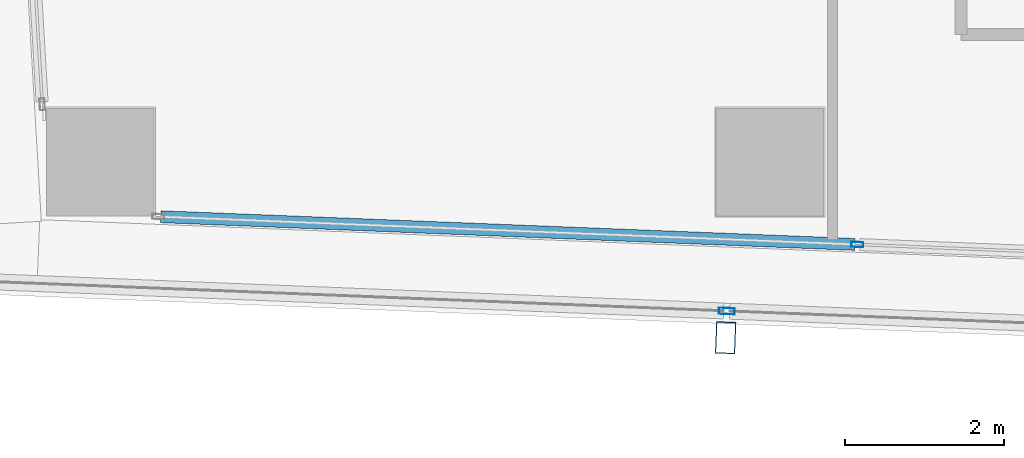
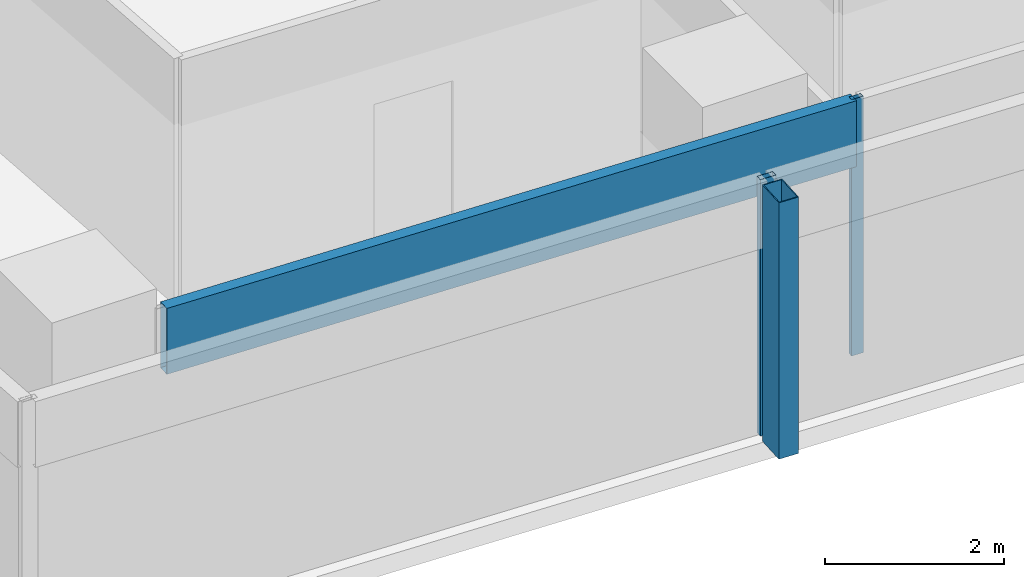
# One storey, part 3 of 33: 4 members, 2 elements without a shape of their own.
"""IFC4 building model written with IfcOpenShell, lengths in metres."""

import ifcopenshell
import ifcopenshell.guid

model = None  # the IFC model being written
_history = None  # IfcOwnerHistory: only IFC2X3 demands one
_inside = {}  # id of a spatial element -> (the spatial element, [elements in it])
_under = {}  # id of a project, library or spatial element -> (it, [spatial elements below it])
_declared = {}  # id of a project -> (the project, [libraries it declares])
_typed = {}  # id of a type object -> (the type object, [elements of that type])
_made_of = {}  # id of a material, layer set ... -> (it, [elements and type objects made of it])


def new_model(schema):
    """Start an empty IFC model of exactly this schema.

    Asked for "IFC4X3", IfcOpenShell would pick the latest addendum, in which some entities
    have other attributes; the version numbers below select the first issue.
    IFC2X3 requires an IfcOwnerHistory on every rooted entity: one is made here for all.
    """
    global model, _history
    if schema == "IFC4X3":
        model = ifcopenshell.file(schema_version=(4, 3, 0, 0))
    else:
        model = ifcopenshell.file(schema=schema)
    _inside.clear()
    _under.clear()
    _declared.clear()
    _typed.clear()
    _made_of.clear()
    _history = None
    if model.schema == "IFC2X3":
        org = make("IfcOrganization", Name="unknown")
        user = make(
            "IfcPersonAndOrganization",
            ThePerson=make("IfcPerson", FamilyName="unknown"),
            TheOrganization=org,
        )
        app = make(
            "IfcApplication",
            ApplicationDeveloper=org,
            Version="unknown",
            ApplicationFullName="unknown",
            ApplicationIdentifier="unknown",
        )
        _history = make(
            "IfcOwnerHistory",
            OwningUser=user,
            OwningApplication=app,
            ChangeAction="ADDED",
            CreationDate=0,
        )
    return model


def make(cls, **values):
    """One entity of the class cls with the attributes given. An attribute that is None is left unset."""
    return model.create_entity(
        cls, **{name: value for name, value in values.items() if value is not None}
    )


def rooted(cls, **values):
    """An entity with a GlobalId (a new one), such as an element, a storey or a relation."""
    return make(cls, GlobalId=ifcopenshell.guid.new(), OwnerHistory=_history, **values)


def si_unit(unit_type, name, prefix=None):
    """IfcSIUnit, for example si_unit("LENGTHUNIT", "METRE", prefix="MILLI")."""
    return make("IfcSIUnit", UnitType=unit_type, Prefix=prefix, Name=name)


def assignment(units):
    """IfcUnitAssignment: the units of a project."""
    return None if units is None else make("IfcUnitAssignment", Units=units)


def point(xyz):
    """IfcCartesianPoint."""
    return None if xyz is None else make("IfcCartesianPoint", Coordinates=xyz)


def direction(xyz):
    """IfcDirection."""
    return None if xyz is None else make("IfcDirection", DirectionRatios=xyz)


def frame(location, z_axis=None, x_axis=None):
    """IfcAxis2Placement3D, a coordinate frame: its origin and axes. An axis left out is left unset."""
    return make(
        "IfcAxis2Placement3D",
        Location=point(location),
        Axis=direction(z_axis),
        RefDirection=direction(x_axis),
    )


def frame_2d(location, x_axis=None):
    """IfcAxis2Placement2D, a coordinate frame in the plane: its origin and x axis."""
    return make(
        "IfcAxis2Placement2D", Location=point(location), RefDirection=direction(x_axis)
    )


def origin():
    """The frame at (0, 0, 0) with its axes left unset."""
    return frame((0.0, 0.0, 0.0))


def origin_2d():
    """The frame at (0, 0) in the plane with its x axis left unset."""
    return frame_2d((0.0, 0.0))


def place(relative_to, where):
    """IfcLocalPlacement: puts the frame where relative to a parent placement (None: the world)."""
    return make(
        "IfcLocalPlacement", PlacementRelTo=relative_to, RelativePlacement=where
    )


def context(
    kind, dimensions, precision=None, world=None, true_north=None, identifier=None
):
    """IfcGeometricRepresentationContext, for example the 3D "Model" context."""
    return make(
        "IfcGeometricRepresentationContext",
        ContextIdentifier=identifier,
        ContextType=kind,
        CoordinateSpaceDimension=dimensions,
        Precision=precision,
        WorldCoordinateSystem=world,
        TrueNorth=true_north,
    )


def subcontext(parent, identifier, kind, view, scale=None):
    """IfcGeometricRepresentationSubContext, for example "Body" below "Model"."""
    return make(
        "IfcGeometricRepresentationSubContext",
        ContextIdentifier=identifier,
        ContextType=kind,
        ParentContext=parent,
        TargetScale=scale,
        TargetView=view,
    )


def project(units=None, contexts=None):
    """IfcProject with its units and contexts."""
    return rooted(
        "IfcProject",
        Name="project",
        RepresentationContexts=contexts,
        UnitsInContext=assignment(units),
    )


def spatial(cls, under=None, at=None, **own):
    """A site, building, storey or space (cls), placed at a placement, below another one or the project."""
    s = rooted(cls, ObjectPlacement=at, **own)
    if under is not None:
        _under.setdefault(under.id(), (under, []))[1].append(s)
    return s


def profile(cls, at=None, kind="AREA", **sizes):
    """A parametric profile (cls). Its sizes go by their IFC names, for example OverallWidth=200.0."""
    return make(cls, ProfileType=kind, Position=at, **sizes)


def hollow_rectangle(**sizes):
    """IfcRectangleHollowProfileDef."""
    return profile("IfcRectangleHollowProfileDef", **sizes)


def extrude(swept, where, along, depth):
    """IfcExtrudedAreaSolid: the profile swept, set in the frame where, extruded along a direction by depth."""
    return make(
        "IfcExtrudedAreaSolid",
        SweptArea=swept,
        Position=where,
        ExtrudedDirection=direction(along),
        Depth=depth,
    )


def shape(context_of_items, identifier, shape_type, items):
    """IfcShapeRepresentation: the items that make up one representation, for example the "Body"."""
    return make(
        "IfcShapeRepresentation",
        ContextOfItems=context_of_items,
        RepresentationIdentifier=identifier,
        RepresentationType=shape_type,
        Items=items,
    )


def material(Name=None, Category=None):
    """IfcMaterial."""
    return make("IfcMaterial", Name=Name, Category=Category)


def material_profile(
    of_material, cross_section, Name=None, Category=None, Priority=None
):
    """IfcMaterialProfile: a cross section and its material."""
    return make(
        "IfcMaterialProfile",
        Name=Name,
        Material=of_material,
        Profile=cross_section,
        Priority=Priority,
        Category=Category,
    )


def profile_set(profiles, Name=None, composite=None):
    """IfcMaterialProfileSet."""
    return make(
        "IfcMaterialProfileSet",
        Name=Name,
        MaterialProfiles=profiles,
        CompositeProfile=composite,
    )


def made_of(thing, what):
    """Note that an element or type object is made of a material, layer set ...; save() writes the relation."""
    if what is not None:
        _made_of.setdefault(what.id(), (what, []))[1].append(thing)
    return thing


def type_object(cls, material=None, **own):
    """A type object (cls), such as IfcWallType, which elements share."""
    return made_of(rooted(cls, **own), material)


def element(
    cls,
    number,
    at=None,
    inside=None,
    cuts=None,
    type_object=None,
    material=None,
    context=None,
    identifier="Body",
    shape_type=None,
    held_by="IfcProductDefinitionShape",
    body=None,
    shapes=None,
    **own,
):
    """One element of the class cls, such as IfcWall. Its Tag is "e" and its number.

    at: its placement. inside: the storey or other place that contains it. cuts: it is an
    opening in that element (IfcRelVoidsElement). A single representation is given by context,
    identifier, shape_type and body (its items); several are given by shapes. held_by: the class
    of the entity that holds the representations. save() writes the other relations.
    """
    e = rooted(cls, Tag="e%d" % number, ObjectPlacement=at, **own)
    if body is not None:
        shapes = [shape(context, identifier, shape_type, body)]
    if shapes is not None:
        e.Representation = make(held_by, Representations=shapes)
    if inside is not None:
        _inside.setdefault(inside.id(), (inside, []))[1].append(e)
    if cuts is not None:
        rooted(
            "IfcRelVoidsElement", RelatingBuildingElement=cuts, RelatedOpeningElement=e
        )
    if type_object is not None:
        _typed.setdefault(type_object.id(), (type_object, []))[1].append(e)
    return made_of(e, material)


def aggregate(whole, parts):
    """IfcRelAggregates: a whole, such as a stair, and the parts it consists of."""
    return rooted("IfcRelAggregates", RelatingObject=whole, RelatedObjects=parts)


def save(model, path):
    """Write the relations noted so far, then the file.

    IfcRelAggregates (storeys below a building ...), IfcRelContainedInSpatialStructure (elements
    in a storey), IfcRelDefinesByType, IfcRelAssociatesMaterial and IfcRelDeclares: one each for
    every whole, place, type object, material and project.
    """
    for whole, parts in _under.values():
        aggregate(whole, parts)
    for where, things in _inside.values():
        rooted(
            "IfcRelContainedInSpatialStructure",
            RelatedElements=things,
            RelatingStructure=where,
        )
    for kind, things in _typed.values():
        rooted("IfcRelDefinesByType", RelatedObjects=things, RelatingType=kind)
    for what, things in _made_of.values():
        rooted("IfcRelAssociatesMaterial", RelatedObjects=things, RelatingMaterial=what)
    for by, libraries in _declared.values():
        rooted("IfcRelDeclares", RelatingContext=by, RelatedDefinitions=libraries)
    model.write(path)


model = new_model("IFC4")

# Units and contexts
model_context = context("Model", 3, precision=1e-05, world=origin(), true_north=direction((0.0, 1.0)))
body_context = subcontext(model_context, "Body", "Model", "MODEL_VIEW")
ifc_project = project(units=[si_unit("LENGTHUNIT", "METRE"), si_unit("AREAUNIT", "SQUARE_METRE"), si_unit("VOLUMEUNIT", "CUBIC_METRE"), si_unit("PLANEANGLEUNIT", "RADIAN"), si_unit("MASSUNIT", "GRAM", prefix="KILO")], contexts=[model_context])

# Site, building, storey
site_placement = place(None, origin())
site = spatial("IfcSite", under=ifc_project, at=site_placement, CompositionType="ELEMENT")
building_placement = place(site_placement, origin())
building = spatial("IfcBuilding", under=site, at=building_placement, Name="Rekha Terrace Tower", CompositionType="ELEMENT")
storey_placement = place(building_placement, frame((0.0, 0.0, 206.449951171875)))
storey = spatial("IfcBuildingStorey", under=building, at=storey_placement, Name="L52", CompositionType="ELEMENT", Elevation=206.449951171875)

# Curtain wall, member
ifc_material_1 = material(Name="Aluminium framing", Category="aluminium")
curtain_wall_type_1 = type_object("IfcCurtainWallType", Name="CW2 double skin outer glazing", PredefinedType="USERDEFINED", material=ifc_material_1)
curtain_wall_1_placement = place(storey_placement, origin())
curtain_wall_1 = element("IfcCurtainWall", 1, at=curtain_wall_1_placement, inside=storey, type_object=curtain_wall_type_1, Name="CW2 double skin outer glazing", ObjectType="DOUBLE SKIN OUTER GLAZING", PredefinedType="USERDEFINED")
ifc_material_2 = material(Name="Steel S355 with fluorocarbon finish", Category="steel")
ifc_material_profile_1 = material_profile(ifc_material_2, hollow_rectangle(XDim=0.25, YDim=0.39990234375, WallThickness=0.012451171875, at=origin_2d()), Name="RHS400x250x12.5")
ifc_profile_set_1 = profile_set([ifc_material_profile_1], Name="Steel S355 with fluorocarbon finish")
member_type_1 = type_object("IfcMemberType", Name="BL1 facade blade RHS 400 x 250", PredefinedType="USERDEFINED", material=ifc_profile_set_1)
member_1_placement = place(storey_placement, frame((16.24658203125, 14.595947265625, 0.0), z_axis=(0.0, 0.0, 1.0), x_axis=(0.999204797763, -0.039871946621, 0.0)))
member_1 = element("IfcMember", 2, at=member_1_placement, type_object=member_type_1, Name="Facade blade", ObjectType="FACADE BLADE", PredefinedType="USERDEFINED", context=body_context, shape_type="SweptSolid", body=[
    extrude(hollow_rectangle(XDim=0.25, YDim=0.39990234375, WallThickness=0.012451171875, at=origin_2d()), origin(), (0.0, 0.0, 1.0), 3.5),
])

# Curtain wall, members
curtain_wall_type_2 = type_object("IfcCurtainWallType", Name="CW1 double skin inner glazing", PredefinedType="USERDEFINED", material=ifc_material_1)
curtain_wall_2_placement = place(storey_placement, origin())
curtain_wall_2 = element("IfcCurtainWall", 3, at=curtain_wall_2_placement, inside=storey, type_object=curtain_wall_type_2, Name="CW1 double skin inner glazing", ObjectType="DOUBLE SKIN INNER GLAZING", PredefinedType="USERDEFINED")
ifc_material_3 = material(Name="Aluminium mullion section", Category="aluminium")
ifc_material_profile_2 = material_profile(ifc_material_3, hollow_rectangle(XDim=0.06494140625, YDim=0.14990234375, WallThickness=0.00390625, at=origin_2d()), Name="AL RHS 65x150")
ifc_profile_set_2 = profile_set([ifc_material_profile_2], Name="Aluminium mullion section")
member_type_2 = type_object("IfcMemberType", Name="CW1 mullion RHS 65 x 150", PredefinedType="MULLION", material=ifc_profile_set_2)
member_2_placement = place(storey_placement, frame((17.89892578125, 15.765869140625, 0.0), z_axis=(0.0, 0.0, 1.0), x_axis=(0.039872497061, 0.999204775798, 0.0)))
member_2 = element("IfcMember", 4, at=member_2_placement, type_object=member_type_2, Name="CW1 mullion 2", PredefinedType="MULLION", context=body_context, shape_type="SweptSolid", body=[
    extrude(hollow_rectangle(XDim=0.06494140625, YDim=0.14990234375, WallThickness=0.00390625, at=origin_2d()), origin(), (0.0, 0.0, 1.0), 3.5),
])
ifc_material_4 = material(Name="Insulated aluminium spandrel box", Category="aluminium")
ifc_material_profile_3 = material_profile(ifc_material_4, hollow_rectangle(XDim=0.14990234375, YDim=0.89990234375, WallThickness=0.0029296875, at=origin_2d()), Name="AL SPANDREL BOX 150x900")
ifc_profile_set_3 = profile_set([ifc_material_profile_3], Name="Insulated aluminium spandrel box")
member_type_3 = type_object("IfcMemberType", Name="CW1 spandrel transom 150 x 900", PredefinedType="USERDEFINED", material=ifc_profile_set_3)
member_3_placement = place(storey_placement, frame((9.15966796875, 16.11474609375, 3.050048828125), z_axis=(0.999204892499, -0.039869572443, 0.0), x_axis=(0.039869572443, 0.999204892499, 0.0)))
member_3 = element("IfcMember", 5, at=member_3_placement, type_object=member_type_3, Name="CW1 spandrel transom 1", ObjectType="TRANSOM", PredefinedType="USERDEFINED", context=body_context, shape_type="SweptSolid", body=[
    extrude(hollow_rectangle(XDim=0.14990234375, YDim=0.89990234375, WallThickness=0.0029296875, at=origin_2d()), origin(), (0.0, 0.0, 1.0), 8.713623046875),
])
aggregate(curtain_wall_2, [member_2, member_3])

# Member
ifc_material_profile_4 = material_profile(ifc_material_3, hollow_rectangle(XDim=0.080078125, YDim=0.199951171875, WallThickness=0.00390625, at=origin_2d()), Name="AL RHS 80x200")
ifc_profile_set_4 = profile_set([ifc_material_profile_4], Name="Aluminium mullion section")
member_type_4 = type_object("IfcMemberType", Name="CW2 mullion RHS 80 x 200", PredefinedType="MULLION", material=ifc_profile_set_4)
member_4_placement = place(storey_placement, frame((16.259765625, 14.9306640625, 0.0), z_axis=(0.0, 0.0, 1.0), x_axis=(0.039872497044, 0.999204775799, 0.0)))
member_4 = element("IfcMember", 6, at=member_4_placement, type_object=member_type_4, Name="CW2 mullion 2", PredefinedType="MULLION", context=body_context, shape_type="SweptSolid", body=[
    extrude(hollow_rectangle(XDim=0.080078125, YDim=0.199951171875, WallThickness=0.00390625, at=origin_2d()), origin(), (0.0, 0.0, 1.0), 3.5),
])

aggregate(curtain_wall_1, [member_4, member_1])

save(model, "model.ifc")
